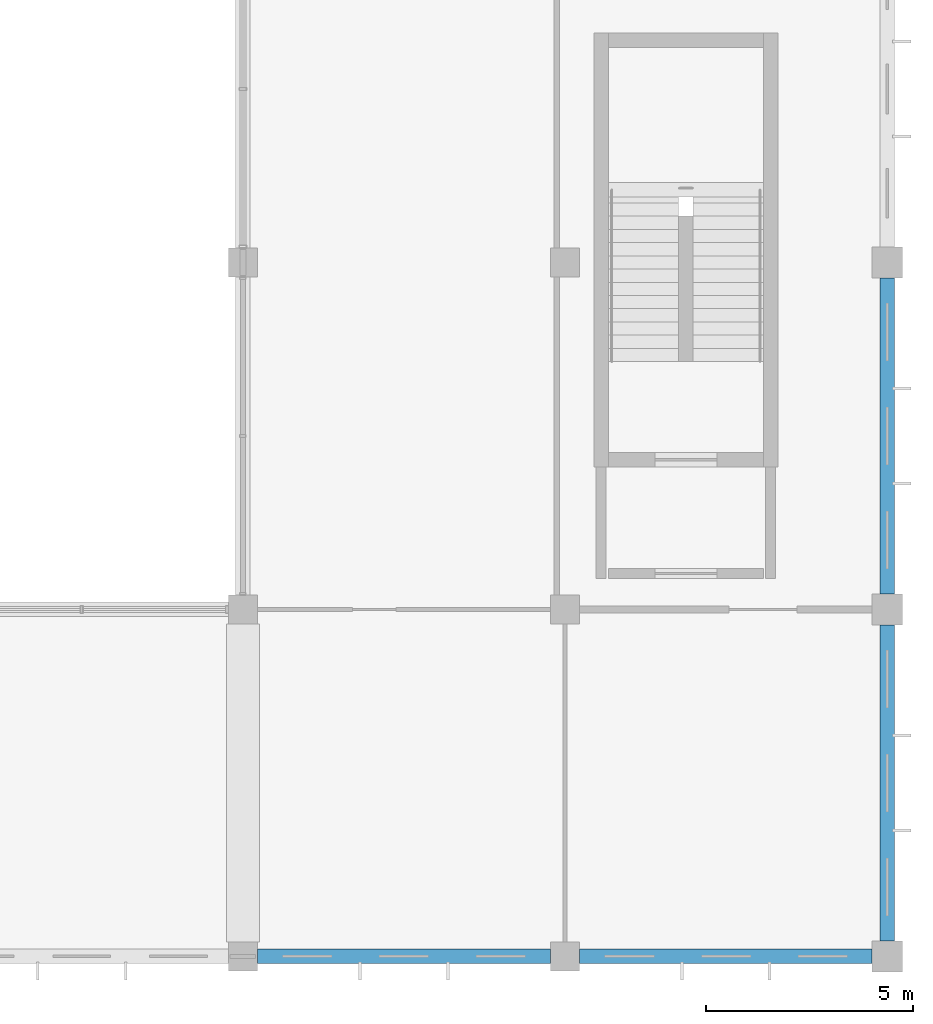
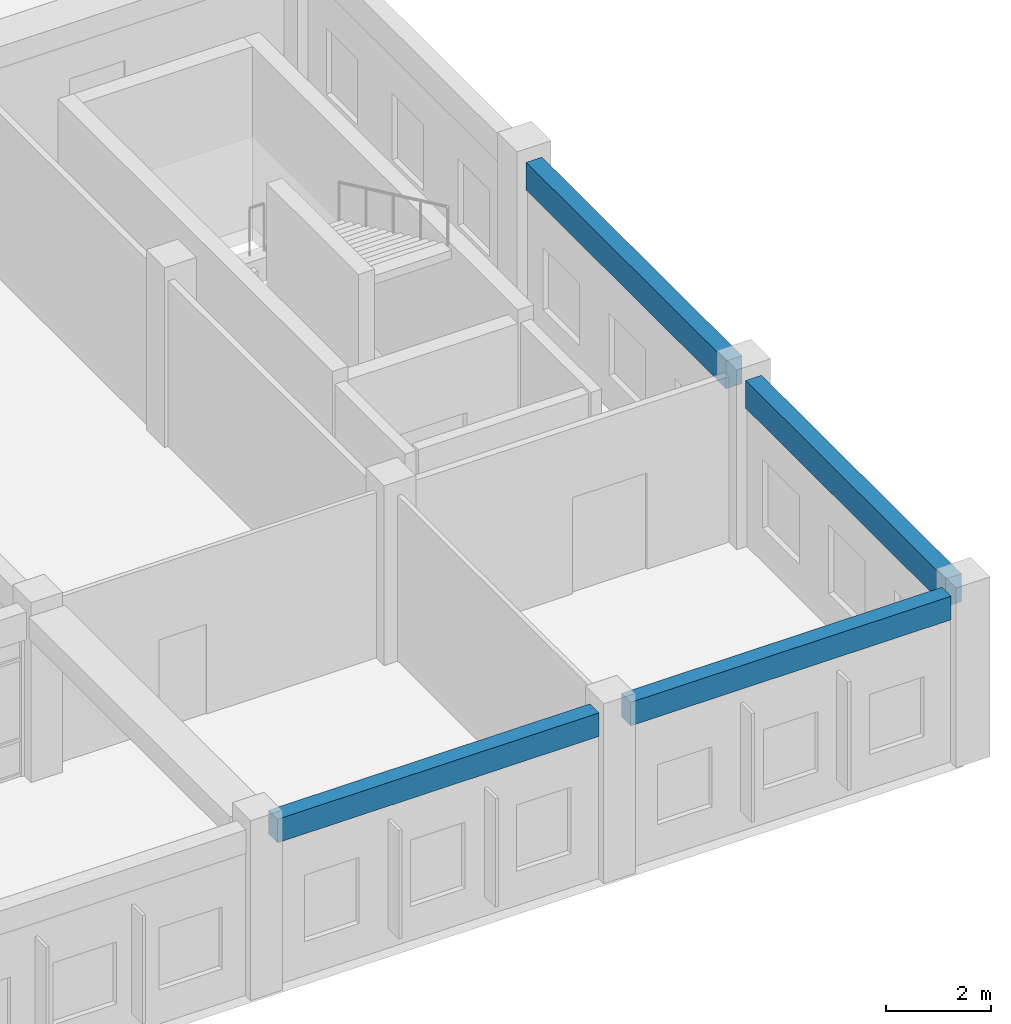
# One storey, part 15 of 53: 4 beams.
"""IFC4 building model written with IfcOpenShell, lengths in metres."""

from ifc_helpers import new_model, si_unit, direction, frame, origin, origin_2d, place, context, subcontext, project, spatial, rectangle, extrude, material, material_profile, profile_set, type_object, element, save


model = new_model("IFC4")

# Units and contexts
model_context = context("Model", 3, precision=1e-05, world=origin(), true_north=direction((0.0, 1.0)))
body_context = subcontext(model_context, "Body", "Model", "MODEL_VIEW")
ifc_project = project(units=[si_unit("LENGTHUNIT", "METRE"), si_unit("AREAUNIT", "SQUARE_METRE"), si_unit("VOLUMEUNIT", "CUBIC_METRE"), si_unit("PLANEANGLEUNIT", "RADIAN"), si_unit("MASSUNIT", "GRAM", prefix="KILO"), si_unit("THERMODYNAMICTEMPERATUREUNIT", "KELVIN"), si_unit("POWERUNIT", "WATT")], contexts=[model_context])

# Site, building, storey
site_placement = place(None, origin())
site = spatial("IfcSite", under=ifc_project, at=site_placement, CompositionType="ELEMENT")
building_placement = place(site_placement, origin())
building = spatial("IfcBuilding", under=site, at=building_placement, Name="Srebrne Nadtorze General Hospital", CompositionType="ELEMENT")
storey_placement = place(building_placement, frame((0.0, 0.0, 18.0)))
storey = spatial("IfcBuildingStorey", under=building, at=storey_placement, Name="L04", CompositionType="ELEMENT", Elevation=18.0)

# Beams
ifc_material_1 = material(Name="Concrete C35/45", Category="concrete")
ifc_material_profile_1 = material_profile(ifc_material_1, rectangle(XDim=0.35009765625, YDim=0.64990234375, at=origin_2d()), Name="RC-BM-350x650")
ifc_profile_set_1 = profile_set([ifc_material_profile_1], Name="Concrete C35/45")
beam_type_1 = type_object("IfcBeamType", Name="Edge beam RC 350x650", PredefinedType="BEAM", material=ifc_profile_set_1)
beam_1_placement = place(storey_placement, frame((148.199951171875, 0.375, 3.56005859375), z_axis=(0.0, 1.0, 0.0), x_axis=(-1.0, 0.0, 0.0)))
element("IfcBeam", 1, at=beam_1_placement, inside=storey, type_object=beam_type_1, Name="Beam BM-L04-Y-0985", PredefinedType="BEAM", context=body_context, shape_type="SweptSolid", body=[
    extrude(rectangle(XDim=0.35009765625, YDim=0.64990234375, at=origin_2d()), origin(), (0.0, 0.0, 1.0), 7.64990234375),
])
beam_2_placement = place(storey_placement, frame((148.199951171875, 8.77490234375, 3.56005859375), z_axis=(0.0, 1.0, 0.0), x_axis=(-1.0, 0.0, 0.0)))
element("IfcBeam", 2, at=beam_2_placement, inside=storey, type_object=beam_type_1, Name="Beam BM-L04-Y-0986", PredefinedType="BEAM", context=body_context, shape_type="SweptSolid", body=[
    extrude(rectangle(XDim=0.35009765625, YDim=0.64990234375, at=origin_2d()), origin(), (0.0, 0.0, 1.0), 7.650146484375),
])
ifc_material_2 = material(Name="Concrete C35/45", Category="concrete")
ifc_material_profile_2 = material_profile(ifc_material_2, rectangle(XDim=0.35009765625, YDim=0.550048828125, at=origin_2d()), Name="RC-BM-350x550")
ifc_profile_set_2 = profile_set([ifc_material_profile_2], Name="Concrete C35/45")
beam_type_2 = type_object("IfcBeamType", Name="Spandrel lintel beam RC 350x550", PredefinedType="LINTEL", material=ifc_profile_set_2)
beam_3_placement = place(storey_placement, frame((132.949951171875, 0.0, 3.610107421875), z_axis=(1.0, 0.0, 0.0), x_axis=(0.0, 1.0, 0.0)))
element("IfcBeam", 3, at=beam_3_placement, inside=storey, type_object=beam_type_2, Name="Beam BM-L04-X-0863", PredefinedType="LINTEL", context=body_context, shape_type="SweptSolid", body=[
    extrude(rectangle(XDim=0.35009765625, YDim=0.550048828125, at=origin_2d()), origin(), (0.0, 0.0, 1.0), 7.10009765625),
])
beam_4_placement = place(storey_placement, frame((140.75, 0.0, 3.610107421875), z_axis=(1.0, 0.0, 0.0), x_axis=(0.0, 1.0, 0.0)))
element("IfcBeam", 4, at=beam_4_placement, inside=storey, type_object=beam_type_2, Name="Beam BM-L04-X-0864", PredefinedType="LINTEL", context=body_context, shape_type="SweptSolid", body=[
    extrude(rectangle(XDim=0.35009765625, YDim=0.550048828125, at=origin_2d()), origin(), (0.0, 0.0, 1.0), 7.074951171875),
])

save(model, "model.ifc")
